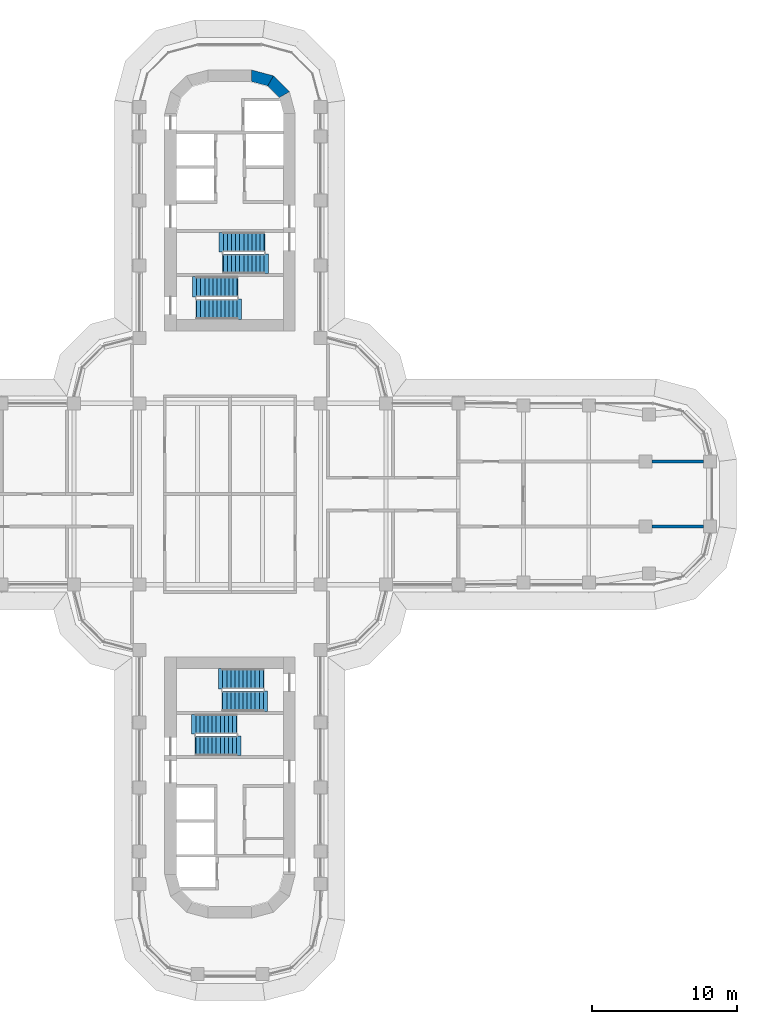
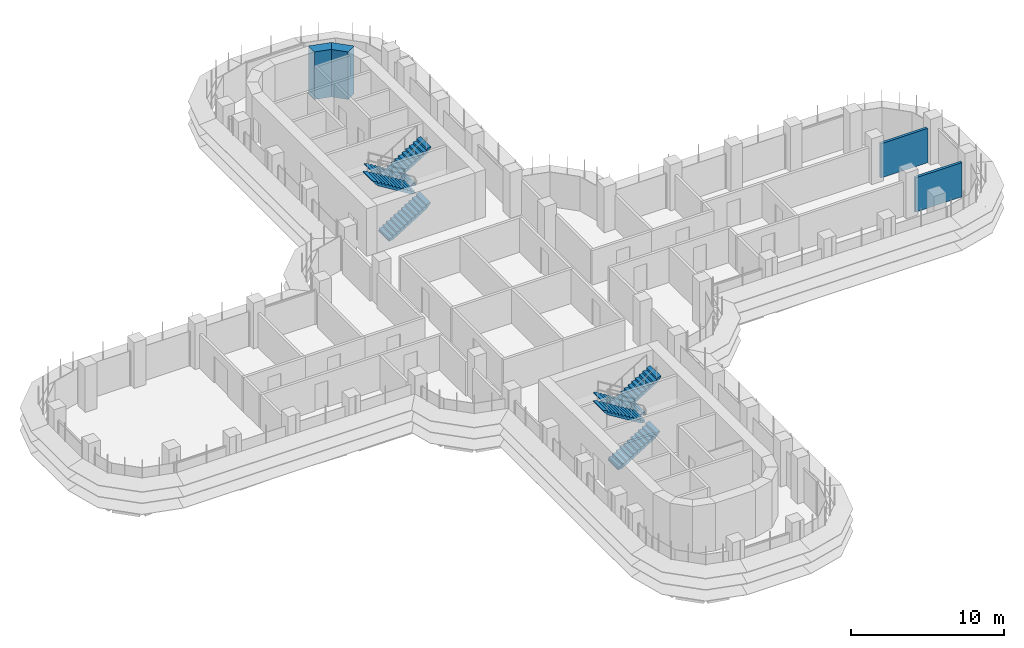
# One storey, part 18 of 22: 8 stair flights, 4 walls, 4 elements without a shape of their own.
"""IFC4 building model written with IfcOpenShell, lengths in metres."""

import ifcopenshell
import ifcopenshell.guid

model = None  # the IFC model being written
_history = None  # IfcOwnerHistory: only IFC2X3 demands one
_inside = {}  # id of a spatial element -> (the spatial element, [elements in it])
_under = {}  # id of a project, library or spatial element -> (it, [spatial elements below it])
_declared = {}  # id of a project -> (the project, [libraries it declares])
_typed = {}  # id of a type object -> (the type object, [elements of that type])
_made_of = {}  # id of a material, layer set ... -> (it, [elements and type objects made of it])


def new_model(schema):
    """Start an empty IFC model of exactly this schema.

    Asked for "IFC4X3", IfcOpenShell would pick the latest addendum, in which some entities
    have other attributes; the version numbers below select the first issue.
    IFC2X3 requires an IfcOwnerHistory on every rooted entity: one is made here for all.
    """
    global model, _history
    if schema == "IFC4X3":
        model = ifcopenshell.file(schema_version=(4, 3, 0, 0))
    else:
        model = ifcopenshell.file(schema=schema)
    _inside.clear()
    _under.clear()
    _declared.clear()
    _typed.clear()
    _made_of.clear()
    _history = None
    if model.schema == "IFC2X3":
        org = make("IfcOrganization", Name="unknown")
        user = make(
            "IfcPersonAndOrganization",
            ThePerson=make("IfcPerson", FamilyName="unknown"),
            TheOrganization=org,
        )
        app = make(
            "IfcApplication",
            ApplicationDeveloper=org,
            Version="unknown",
            ApplicationFullName="unknown",
            ApplicationIdentifier="unknown",
        )
        _history = make(
            "IfcOwnerHistory",
            OwningUser=user,
            OwningApplication=app,
            ChangeAction="ADDED",
            CreationDate=0,
        )
    return model


def make(cls, **values):
    """One entity of the class cls with the attributes given. An attribute that is None is left unset."""
    return model.create_entity(
        cls, **{name: value for name, value in values.items() if value is not None}
    )


def rooted(cls, **values):
    """An entity with a GlobalId (a new one), such as an element, a storey or a relation."""
    return make(cls, GlobalId=ifcopenshell.guid.new(), OwnerHistory=_history, **values)


def si_unit(unit_type, name, prefix=None):
    """IfcSIUnit, for example si_unit("LENGTHUNIT", "METRE", prefix="MILLI")."""
    return make("IfcSIUnit", UnitType=unit_type, Prefix=prefix, Name=name)


def assignment(units):
    """IfcUnitAssignment: the units of a project."""
    return None if units is None else make("IfcUnitAssignment", Units=units)


def point(xyz):
    """IfcCartesianPoint."""
    return None if xyz is None else make("IfcCartesianPoint", Coordinates=xyz)


def direction(xyz):
    """IfcDirection."""
    return None if xyz is None else make("IfcDirection", DirectionRatios=xyz)


def frame(location, z_axis=None, x_axis=None):
    """IfcAxis2Placement3D, a coordinate frame: its origin and axes. An axis left out is left unset."""
    return make(
        "IfcAxis2Placement3D",
        Location=point(location),
        Axis=direction(z_axis),
        RefDirection=direction(x_axis),
    )


def frame_2d(location, x_axis=None):
    """IfcAxis2Placement2D, a coordinate frame in the plane: its origin and x axis."""
    return make(
        "IfcAxis2Placement2D", Location=point(location), RefDirection=direction(x_axis)
    )


def origin():
    """The frame at (0, 0, 0) with its axes left unset."""
    return frame((0.0, 0.0, 0.0))


def place(relative_to, where):
    """IfcLocalPlacement: puts the frame where relative to a parent placement (None: the world)."""
    return make(
        "IfcLocalPlacement", PlacementRelTo=relative_to, RelativePlacement=where
    )


def context(
    kind, dimensions, precision=None, world=None, true_north=None, identifier=None
):
    """IfcGeometricRepresentationContext, for example the 3D "Model" context."""
    return make(
        "IfcGeometricRepresentationContext",
        ContextIdentifier=identifier,
        ContextType=kind,
        CoordinateSpaceDimension=dimensions,
        Precision=precision,
        WorldCoordinateSystem=world,
        TrueNorth=true_north,
    )


def subcontext(parent, identifier, kind, view, scale=None):
    """IfcGeometricRepresentationSubContext, for example "Body" below "Model"."""
    return make(
        "IfcGeometricRepresentationSubContext",
        ContextIdentifier=identifier,
        ContextType=kind,
        ParentContext=parent,
        TargetScale=scale,
        TargetView=view,
    )


def project(units=None, contexts=None):
    """IfcProject with its units and contexts."""
    return rooted(
        "IfcProject",
        Name="project",
        RepresentationContexts=contexts,
        UnitsInContext=assignment(units),
    )


def spatial(cls, under=None, at=None, **own):
    """A site, building, storey or space (cls), placed at a placement, below another one or the project."""
    s = rooted(cls, ObjectPlacement=at, **own)
    if under is not None:
        _under.setdefault(under.id(), (under, []))[1].append(s)
    return s


def polyline(points):
    """IfcPolyline through the points."""
    return make("IfcPolyline", Points=[point(p) for p in points])


def profile(cls, at=None, kind="AREA", **sizes):
    """A parametric profile (cls). Its sizes go by their IFC names, for example OverallWidth=200.0."""
    return make(cls, ProfileType=kind, Position=at, **sizes)


def rectangle(**sizes):
    """IfcRectangleProfileDef."""
    return profile("IfcRectangleProfileDef", **sizes)


def outline(outer, holes=None, kind="AREA"):
    """IfcArbitraryClosedProfileDef: a profile drawn as a closed curve; with holes, ...WithVoids."""
    if holes is None:
        return make("IfcArbitraryClosedProfileDef", ProfileType=kind, OuterCurve=outer)
    return make(
        "IfcArbitraryProfileDefWithVoids",
        ProfileType=kind,
        OuterCurve=outer,
        InnerCurves=holes,
    )


def extrude(swept, where, along, depth):
    """IfcExtrudedAreaSolid: the profile swept, set in the frame where, extruded along a direction by depth."""
    return make(
        "IfcExtrudedAreaSolid",
        SweptArea=swept,
        Position=where,
        ExtrudedDirection=direction(along),
        Depth=depth,
    )


def shape(context_of_items, identifier, shape_type, items):
    """IfcShapeRepresentation: the items that make up one representation, for example the "Body"."""
    return make(
        "IfcShapeRepresentation",
        ContextOfItems=context_of_items,
        RepresentationIdentifier=identifier,
        RepresentationType=shape_type,
        Items=items,
    )


def material(Name=None, Category=None):
    """IfcMaterial."""
    return make("IfcMaterial", Name=Name, Category=Category)


def layer(
    of_material, thickness, ventilated=None, Name=None, Category=None, Priority=None
):
    """IfcMaterialLayer: one layer of a wall or slab, of a material (None: an air gap)."""
    return make(
        "IfcMaterialLayer",
        Material=of_material,
        LayerThickness=thickness,
        IsVentilated=ventilated,
        Name=Name,
        Category=Category,
        Priority=Priority,
    )


def layer_set(layers, Name=None):
    """IfcMaterialLayerSet."""
    return make("IfcMaterialLayerSet", MaterialLayers=layers, LayerSetName=Name)


def made_of(thing, what):
    """Note that an element or type object is made of a material, layer set ...; save() writes the relation."""
    if what is not None:
        _made_of.setdefault(what.id(), (what, []))[1].append(thing)
    return thing


def type_object(cls, material=None, **own):
    """A type object (cls), such as IfcWallType, which elements share."""
    return made_of(rooted(cls, **own), material)


def element(
    cls,
    number,
    at=None,
    inside=None,
    cuts=None,
    type_object=None,
    material=None,
    context=None,
    identifier="Body",
    shape_type=None,
    held_by="IfcProductDefinitionShape",
    body=None,
    shapes=None,
    **own,
):
    """One element of the class cls, such as IfcWall. Its Tag is "e" and its number.

    at: its placement. inside: the storey or other place that contains it. cuts: it is an
    opening in that element (IfcRelVoidsElement). A single representation is given by context,
    identifier, shape_type and body (its items); several are given by shapes. held_by: the class
    of the entity that holds the representations. save() writes the other relations.
    """
    e = rooted(cls, Tag="e%d" % number, ObjectPlacement=at, **own)
    if body is not None:
        shapes = [shape(context, identifier, shape_type, body)]
    if shapes is not None:
        e.Representation = make(held_by, Representations=shapes)
    if inside is not None:
        _inside.setdefault(inside.id(), (inside, []))[1].append(e)
    if cuts is not None:
        rooted(
            "IfcRelVoidsElement", RelatingBuildingElement=cuts, RelatedOpeningElement=e
        )
    if type_object is not None:
        _typed.setdefault(type_object.id(), (type_object, []))[1].append(e)
    return made_of(e, material)


def aggregate(whole, parts):
    """IfcRelAggregates: a whole, such as a stair, and the parts it consists of."""
    return rooted("IfcRelAggregates", RelatingObject=whole, RelatedObjects=parts)


def save(model, path):
    """Write the relations noted so far, then the file.

    IfcRelAggregates (storeys below a building ...), IfcRelContainedInSpatialStructure (elements
    in a storey), IfcRelDefinesByType, IfcRelAssociatesMaterial and IfcRelDeclares: one each for
    every whole, place, type object, material and project.
    """
    for whole, parts in _under.values():
        aggregate(whole, parts)
    for where, things in _inside.values():
        rooted(
            "IfcRelContainedInSpatialStructure",
            RelatedElements=things,
            RelatingStructure=where,
        )
    for kind, things in _typed.values():
        rooted("IfcRelDefinesByType", RelatedObjects=things, RelatingType=kind)
    for what, things in _made_of.values():
        rooted("IfcRelAssociatesMaterial", RelatedObjects=things, RelatingMaterial=what)
    for by, libraries in _declared.values():
        rooted("IfcRelDeclares", RelatingContext=by, RelatedDefinitions=libraries)
    model.write(path)


model = new_model("IFC4")

# Units and contexts
model_context = context("Model", 3, precision=1e-05, world=origin(), true_north=direction((0.0, 1.0)))
body_context = subcontext(model_context, "Body", "Model", "MODEL_VIEW")
ifc_project = project(units=[si_unit("LENGTHUNIT", "METRE"), si_unit("AREAUNIT", "SQUARE_METRE"), si_unit("VOLUMEUNIT", "CUBIC_METRE"), si_unit("PLANEANGLEUNIT", "RADIAN"), si_unit("MASSUNIT", "GRAM", prefix="KILO")], contexts=[model_context])

# Site, building, storey
site_placement = place(None, origin())
site = spatial("IfcSite", under=ifc_project, at=site_placement, CompositionType="ELEMENT")
building_placement = place(site_placement, origin())
building = spatial("IfcBuilding", under=site, at=building_placement, Name="Zarbagh Exchange Tower", CompositionType="ELEMENT")
storey_placement = place(building_placement, frame((0.0, 0.0, 113.199951171875)))
storey = spatial("IfcBuildingStorey", under=building, at=storey_placement, Name="L26", CompositionType="ELEMENT", Elevation=113.199951171875)

# Walls
ifc_material_1 = material(Name="Fire-rated plasterboard partition")
ifc_layer_1 = layer(ifc_material_1, 0.199951171875)
ifc_layer_set_1 = layer_set([ifc_layer_1], Name="RATED PARTITION 200")
wall_type_1 = type_object("IfcWallType", Name="RATED PARTITION 200", PredefinedType="PARTITIONING", material=ifc_layer_set_1)
for number, where, z_axis, x_axis, name in (
    (1, (29.1201171875, 2.25, 0.0), (0.0, 0.0, 1.0), (1.0, 0.0, 0.0), "Partition W-935"),
    (2, (29.1201171875, -2.25, 0.0), (0.0, 0.0, 1.0), (1.0, 0.0, 0.0), "Partition W-937"),
):
    element("IfcWall", number, at=place(storey_placement, frame(where, z_axis=z_axis, x_axis=x_axis)), inside=storey, type_object=wall_type_1, Name=name, PredefinedType="PARTITIONING", context=body_context, shape_type="SweptSolid", body=[
        extrude(rectangle(XDim=3.539794921875, YDim=0.199951171875, at=frame_2d((1.77001953125, 0.0))), origin(), (0.0, 0.0, 1.0), 2.738037109375),
    ])
ifc_material_2 = material(Name="Concrete C60/75", Category="concrete")
ifc_layer_2 = layer(ifc_material_2, 0.800048828125)
ifc_layer_set_2 = layer_set([ifc_layer_2], Name="RC core corner wall 800 C60/75")
wall_type_2 = type_object("IfcWallType", Name="RC core corner wall 800 C60/75", PredefinedType="SHEAR", material=ifc_layer_set_2)
wall_1_placement = place(storey_placement, origin())
element("IfcWall", 3, at=wall_1_placement, inside=storey, type_object=wall_type_2, Name="CW4 core N corner E", PredefinedType="SHEAR", context=body_context, shape_type="SweptSolid", body=[
    extrude(outline(polyline([(4.09814453125, 27.75), (3.0, 28.84814453125), (2.60009765625, 28.1552734375), (3.4052734375, 27.35009765625), (4.09814453125, 27.75)])), origin(), (0.0, 0.0, 1.0), 3.800048828125),
])
wall_2_placement = place(storey_placement, origin())
element("IfcWall", 4, at=wall_2_placement, inside=storey, type_object=wall_type_2, Name="CW4 core N corner E", PredefinedType="SHEAR", context=body_context, shape_type="SweptSolid", body=[
    extrude(outline(polyline([(3.0, 28.84814453125), (1.5, 29.25), (1.5, 28.449951171875), (2.60009765625, 28.1552734375), (3.0, 28.84814453125)])), origin(), (0.0, 0.0, 1.0), 3.800048828125),
])

# Stair, stair flights
ifc_material_3 = material(Name="Concrete C40/50", Category="concrete")
stair_type = type_object("IfcStairType", Name="Exit stair two-flight half-turn", PredefinedType="HALF_TURN_STAIR", material=ifc_material_3)
stair_1_placement = place(storey_placement, origin())
stair_1 = element("IfcStair", 5, at=stair_1_placement, inside=storey, type_object=stair_type, Name="exit stair ST1", PredefinedType="HALF_TURN_STAIR")
stair_flight_type_1 = type_object("IfcStairFlightType", Name="Stair flight 1350 mm", PredefinedType="STRAIGHT", material=ifc_material_3)
stair_flight_1_placement = place(storey_placement, frame((2.35009765625, 17.375, 0.0), z_axis=(0.0, 0.0, 1.0), x_axis=(-1.0, 0.0, 0.0)))
stair_flight_1 = element("IfcStairFlight", 6, at=stair_flight_1_placement, type_object=stair_flight_type_1, Name="ST1 flight 1", NumberOfRisers=11, NumberOfTreads=10, PredefinedType="STRAIGHT", RiserHeight=0.172727273, TreadLength=0.28, context=body_context, shape_type="SweptSolid", body=[
    extrude(outline(polyline([(-0.050048828125, -0.050048828125), (-0.050048828125, 0.0), (0.0, 0.0), (0.0, 0.172607421875), (0.280029296875, 0.172607421875), (0.280029296875, 0.345458984375), (0.56005859375, 0.345458984375), (0.56005859375, 0.51806640625), (0.840087890625, 0.51806640625), (0.840087890625, 0.69091796875), (1.1201171875, 0.69091796875), (1.1201171875, 0.863525390625), (1.39990234375, 0.863525390625), (1.39990234375, 1.036376953125), (1.679931640625, 1.036376953125), (1.679931640625, 1.208984375), (1.9599609375, 1.208984375), (1.9599609375, 1.3818359375), (2.239990234375, 1.3818359375), (2.239990234375, 1.554443359375), (2.52001953125, 1.554443359375), (2.52001953125, 1.727294921875), (2.800048828125, 1.727294921875), (2.800048828125, 1.89990234375), (3.10009765625, 1.97998046875), (3.10009765625, 1.89990234375), (2.800048828125, 1.551025390625), (0.285400390625, 0.0), (-0.050048828125, -0.050048828125)])), frame((0.0, 0.675048828125, 0.0), z_axis=(0.0, -1.0, 0.0), x_axis=(1.0, 0.0, 0.0)), (0.0, 0.0, 1.0), 1.35009765625),
])
stair_flight_2_placement = place(storey_placement, frame((-0.449951171875, 15.875, 1.900146484375), z_axis=(0.0, 0.0, 1.0), x_axis=(1.0, 0.0, 0.0)))
stair_flight_2 = element("IfcStairFlight", 7, at=stair_flight_2_placement, type_object=stair_flight_type_1, Name="ST1 flight 2", NumberOfRisers=11, NumberOfTreads=10, PredefinedType="STRAIGHT", RiserHeight=0.172727273, TreadLength=0.28, context=body_context, shape_type="SweptSolid", body=[
    extrude(outline(polyline([(-0.050048828125, -0.050048828125), (-0.050048828125, 0.0), (0.0, 0.0), (0.0, 0.172607421875), (0.280029296875, 0.172607421875), (0.280029296875, 0.345458984375), (0.56005859375, 0.345458984375), (0.56005859375, 0.51806640625), (0.840087890625, 0.51806640625), (0.840087890625, 0.69091796875), (1.1201171875, 0.69091796875), (1.1201171875, 0.863525390625), (1.39990234375, 0.863525390625), (1.39990234375, 1.036376953125), (1.679931640625, 1.036376953125), (1.679931640625, 1.208984375), (1.9599609375, 1.208984375), (1.9599609375, 1.3818359375), (2.239990234375, 1.3818359375), (2.239990234375, 1.554443359375), (2.52001953125, 1.554443359375), (2.52001953125, 1.727294921875), (2.800048828125, 1.727294921875), (2.800048828125, 1.89990234375), (3.10009765625, 1.97998046875), (3.10009765625, 1.89990234375), (2.800048828125, 1.551025390625), (0.285400390625, 0.0), (-0.050048828125, -0.050048828125)])), frame((0.0, 0.675048828125, 0.0), z_axis=(0.0, -1.0, 0.0), x_axis=(1.0, 0.0, 0.0)), (0.0, 0.0, 1.0), 1.35009765625),
])
aggregate(stair_1, [stair_flight_1, stair_flight_2])

stair_2_placement = place(storey_placement, origin())
stair_2 = element("IfcStair", 8, at=stair_2_placement, inside=storey, type_object=stair_type, Name="exit stair ST3", PredefinedType="HALF_TURN_STAIR")
stair_flight_3_placement = place(storey_placement, frame((-2.35009765625, -17.375, 0.0), z_axis=(0.0, 0.0, 1.0), x_axis=(1.0, 0.0, 0.0)))
stair_flight_3 = element("IfcStairFlight", 9, at=stair_flight_3_placement, type_object=stair_flight_type_1, Name="ST3 flight 1", NumberOfRisers=11, NumberOfTreads=10, PredefinedType="STRAIGHT", RiserHeight=0.172727273, TreadLength=0.28, context=body_context, shape_type="SweptSolid", body=[
    extrude(outline(polyline([(-0.050048828125, -0.050048828125), (-0.050048828125, 0.0), (0.0, 0.0), (0.0, 0.172607421875), (0.280029296875, 0.172607421875), (0.280029296875, 0.345458984375), (0.56005859375, 0.345458984375), (0.56005859375, 0.51806640625), (0.840087890625, 0.51806640625), (0.840087890625, 0.69091796875), (1.1201171875, 0.69091796875), (1.1201171875, 0.863525390625), (1.39990234375, 0.863525390625), (1.39990234375, 1.036376953125), (1.679931640625, 1.036376953125), (1.679931640625, 1.208984375), (1.9599609375, 1.208984375), (1.9599609375, 1.3818359375), (2.239990234375, 1.3818359375), (2.239990234375, 1.554443359375), (2.52001953125, 1.554443359375), (2.52001953125, 1.727294921875), (2.800048828125, 1.727294921875), (2.800048828125, 1.89990234375), (3.10009765625, 1.97998046875), (3.10009765625, 1.89990234375), (2.800048828125, 1.551025390625), (0.285400390625, 0.0), (-0.050048828125, -0.050048828125)])), frame((0.0, 0.675048828125, 0.0), z_axis=(0.0, -1.0, 0.0), x_axis=(1.0, 0.0, 0.0)), (0.0, 0.0, 1.0), 1.35009765625),
])
stair_flight_4_placement = place(storey_placement, frame((0.449951171875, -15.875, 1.900146484375), z_axis=(0.0, 0.0, 1.0), x_axis=(-1.0, 0.0, 0.0)))
stair_flight_4 = element("IfcStairFlight", 10, at=stair_flight_4_placement, type_object=stair_flight_type_1, Name="ST3 flight 2", NumberOfRisers=11, NumberOfTreads=10, PredefinedType="STRAIGHT", RiserHeight=0.172727273, TreadLength=0.28, context=body_context, shape_type="SweptSolid", body=[
    extrude(outline(polyline([(-0.050048828125, -0.050048828125), (-0.050048828125, 0.0), (0.0, 0.0), (0.0, 0.172607421875), (0.280029296875, 0.172607421875), (0.280029296875, 0.345458984375), (0.56005859375, 0.345458984375), (0.56005859375, 0.51806640625), (0.840087890625, 0.51806640625), (0.840087890625, 0.69091796875), (1.1201171875, 0.69091796875), (1.1201171875, 0.863525390625), (1.39990234375, 0.863525390625), (1.39990234375, 1.036376953125), (1.679931640625, 1.036376953125), (1.679931640625, 1.208984375), (1.9599609375, 1.208984375), (1.9599609375, 1.3818359375), (2.239990234375, 1.3818359375), (2.239990234375, 1.554443359375), (2.52001953125, 1.554443359375), (2.52001953125, 1.727294921875), (2.800048828125, 1.727294921875), (2.800048828125, 1.89990234375), (3.10009765625, 1.97998046875), (3.10009765625, 1.89990234375), (2.800048828125, 1.551025390625), (0.285400390625, 0.0), (-0.050048828125, -0.050048828125)])), frame((0.0, 0.675048828125, 0.0), z_axis=(0.0, -1.0, 0.0), x_axis=(1.0, 0.0, 0.0)), (0.0, 0.0, 1.0), 1.35009765625),
])
aggregate(stair_2, [stair_flight_3, stair_flight_4])

stair_3_placement = place(storey_placement, origin())
stair_3 = element("IfcStair", 11, at=stair_3_placement, inside=storey, type_object=stair_type, Name="exit stair ST2", PredefinedType="HALF_TURN_STAIR")
stair_flight_type_2 = type_object("IfcStairFlightType", Name="Stair flight 1400 mm", PredefinedType="STRAIGHT", material=ifc_material_3)
stair_flight_5_placement = place(storey_placement, frame((-2.300048828125, 12.75, 0.0), z_axis=(0.0, 0.0, 1.0), x_axis=(1.0, 0.0, 0.0)))
stair_flight_5 = element("IfcStairFlight", 12, at=stair_flight_5_placement, type_object=stair_flight_type_2, Name="ST2 flight 1", NumberOfRisers=11, NumberOfTreads=10, PredefinedType="STRAIGHT", RiserHeight=0.172727273, TreadLength=0.28, context=body_context, shape_type="SweptSolid", body=[
    extrude(outline(polyline([(-0.050048828125, -0.050048828125), (-0.050048828125, 0.0), (0.0, 0.0), (0.0, 0.172607421875), (0.280029296875, 0.172607421875), (0.280029296875, 0.345458984375), (0.56005859375, 0.345458984375), (0.56005859375, 0.51806640625), (0.840087890625, 0.51806640625), (0.840087890625, 0.69091796875), (1.1201171875, 0.69091796875), (1.1201171875, 0.863525390625), (1.39990234375, 0.863525390625), (1.39990234375, 1.036376953125), (1.679931640625, 1.036376953125), (1.679931640625, 1.208984375), (1.9599609375, 1.208984375), (1.9599609375, 1.3818359375), (2.239990234375, 1.3818359375), (2.239990234375, 1.554443359375), (2.52001953125, 1.554443359375), (2.52001953125, 1.727294921875), (2.800048828125, 1.727294921875), (2.800048828125, 1.89990234375), (3.10009765625, 1.97998046875), (3.10009765625, 1.89990234375), (2.800048828125, 1.551025390625), (0.285400390625, 0.0), (-0.050048828125, -0.050048828125)])), frame((0.0, 0.699951171875, 0.0), z_axis=(0.0, -1.0, 0.0), x_axis=(1.0, 0.0, 0.0)), (0.0, 0.0, 1.0), 1.39990234375),
])
stair_flight_6_placement = place(storey_placement, frame((0.5, 14.300048828125, 1.900146484375), z_axis=(0.0, 0.0, 1.0), x_axis=(-1.0, 0.0, 0.0)))
stair_flight_6 = element("IfcStairFlight", 13, at=stair_flight_6_placement, type_object=stair_flight_type_2, Name="ST2 flight 2", NumberOfRisers=11, NumberOfTreads=10, PredefinedType="STRAIGHT", RiserHeight=0.172727273, TreadLength=0.28, context=body_context, shape_type="SweptSolid", body=[
    extrude(outline(polyline([(-0.050048828125, -0.050048828125), (-0.050048828125, 0.0), (0.0, 0.0), (0.0, 0.172607421875), (0.280029296875, 0.172607421875), (0.280029296875, 0.345458984375), (0.56005859375, 0.345458984375), (0.56005859375, 0.51806640625), (0.840087890625, 0.51806640625), (0.840087890625, 0.69091796875), (1.1201171875, 0.69091796875), (1.1201171875, 0.863525390625), (1.39990234375, 0.863525390625), (1.39990234375, 1.036376953125), (1.679931640625, 1.036376953125), (1.679931640625, 1.208984375), (1.9599609375, 1.208984375), (1.9599609375, 1.3818359375), (2.239990234375, 1.3818359375), (2.239990234375, 1.554443359375), (2.52001953125, 1.554443359375), (2.52001953125, 1.727294921875), (2.800048828125, 1.727294921875), (2.800048828125, 1.89990234375), (3.10009765625, 1.97998046875), (3.10009765625, 1.89990234375), (2.800048828125, 1.551025390625), (0.285400390625, 0.0), (-0.050048828125, -0.050048828125)])), frame((0.0, 0.699951171875, 0.0), z_axis=(0.0, -1.0, 0.0), x_axis=(1.0, 0.0, 0.0)), (0.0, 0.0, 1.0), 1.39990234375),
])
aggregate(stair_3, [stair_flight_5, stair_flight_6])

stair_4_placement = place(storey_placement, origin())
stair_4 = element("IfcStair", 14, at=stair_4_placement, inside=storey, type_object=stair_type, Name="exit stair ST4", PredefinedType="HALF_TURN_STAIR")
stair_flight_7_placement = place(storey_placement, frame((2.300048828125, -12.75, 0.0), z_axis=(0.0, 0.0, 1.0), x_axis=(-1.0, 0.0, 0.0)))
stair_flight_7 = element("IfcStairFlight", 15, at=stair_flight_7_placement, type_object=stair_flight_type_2, Name="ST4 flight 1", NumberOfRisers=11, NumberOfTreads=10, PredefinedType="STRAIGHT", RiserHeight=0.172727273, TreadLength=0.28, context=body_context, shape_type="SweptSolid", body=[
    extrude(outline(polyline([(-0.050048828125, -0.050048828125), (-0.050048828125, 0.0), (0.0, 0.0), (0.0, 0.172607421875), (0.280029296875, 0.172607421875), (0.280029296875, 0.345458984375), (0.56005859375, 0.345458984375), (0.56005859375, 0.51806640625), (0.840087890625, 0.51806640625), (0.840087890625, 0.69091796875), (1.1201171875, 0.69091796875), (1.1201171875, 0.863525390625), (1.39990234375, 0.863525390625), (1.39990234375, 1.036376953125), (1.679931640625, 1.036376953125), (1.679931640625, 1.208984375), (1.9599609375, 1.208984375), (1.9599609375, 1.3818359375), (2.239990234375, 1.3818359375), (2.239990234375, 1.554443359375), (2.52001953125, 1.554443359375), (2.52001953125, 1.727294921875), (2.800048828125, 1.727294921875), (2.800048828125, 1.89990234375), (3.10009765625, 1.97998046875), (3.10009765625, 1.89990234375), (2.800048828125, 1.551025390625), (0.285400390625, 0.0), (-0.050048828125, -0.050048828125)])), frame((0.0, 0.699951171875, 0.0), z_axis=(0.0, -1.0, 0.0), x_axis=(1.0, 0.0, 0.0)), (0.0, 0.0, 1.0), 1.39990234375),
])
stair_flight_8_placement = place(storey_placement, frame((-0.5, -14.300048828125, 1.900146484375), z_axis=(0.0, 0.0, 1.0), x_axis=(1.0, 0.0, 0.0)))
stair_flight_8 = element("IfcStairFlight", 16, at=stair_flight_8_placement, type_object=stair_flight_type_2, Name="ST4 flight 2", NumberOfRisers=11, NumberOfTreads=10, PredefinedType="STRAIGHT", RiserHeight=0.172727273, TreadLength=0.28, context=body_context, shape_type="SweptSolid", body=[
    extrude(outline(polyline([(-0.050048828125, -0.050048828125), (-0.050048828125, 0.0), (0.0, 0.0), (0.0, 0.172607421875), (0.280029296875, 0.172607421875), (0.280029296875, 0.345458984375), (0.56005859375, 0.345458984375), (0.56005859375, 0.51806640625), (0.840087890625, 0.51806640625), (0.840087890625, 0.69091796875), (1.1201171875, 0.69091796875), (1.1201171875, 0.863525390625), (1.39990234375, 0.863525390625), (1.39990234375, 1.036376953125), (1.679931640625, 1.036376953125), (1.679931640625, 1.208984375), (1.9599609375, 1.208984375), (1.9599609375, 1.3818359375), (2.239990234375, 1.3818359375), (2.239990234375, 1.554443359375), (2.52001953125, 1.554443359375), (2.52001953125, 1.727294921875), (2.800048828125, 1.727294921875), (2.800048828125, 1.89990234375), (3.10009765625, 1.97998046875), (3.10009765625, 1.89990234375), (2.800048828125, 1.551025390625), (0.285400390625, 0.0), (-0.050048828125, -0.050048828125)])), frame((0.0, 0.699951171875, 0.0), z_axis=(0.0, -1.0, 0.0), x_axis=(1.0, 0.0, 0.0)), (0.0, 0.0, 1.0), 1.39990234375),
])
aggregate(stair_4, [stair_flight_7, stair_flight_8])

save(model, "model.ifc")
